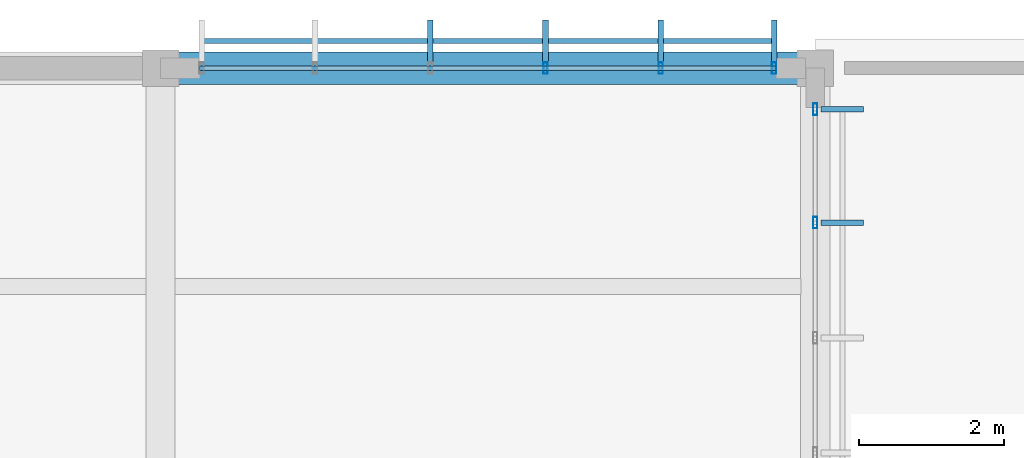
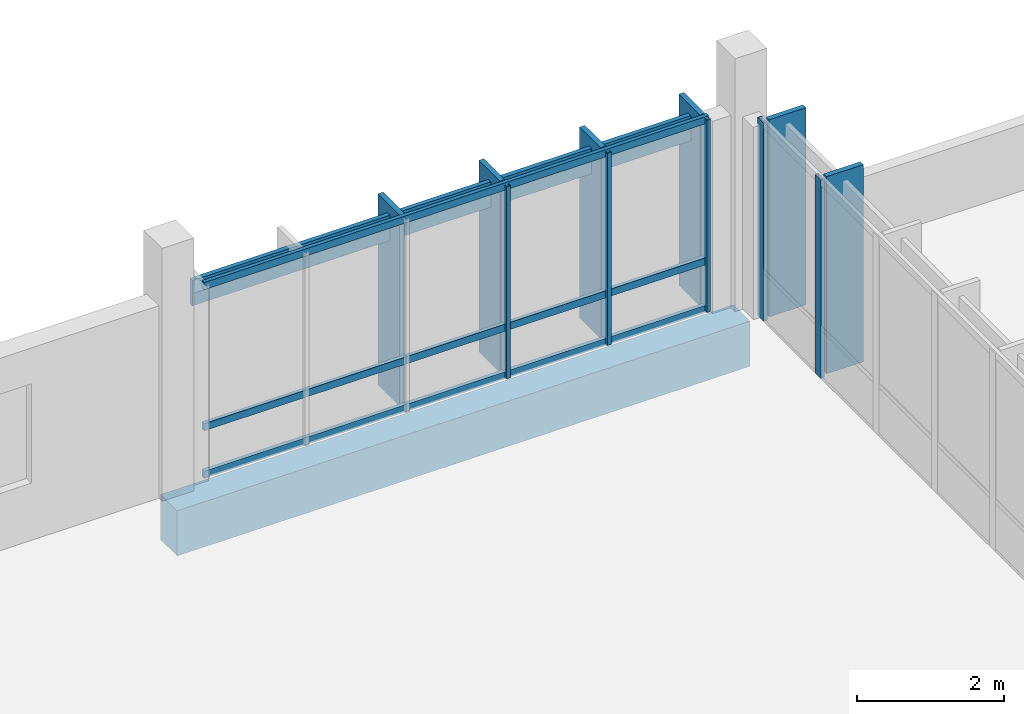
# One storey, part 77 of 107: 15 members, 1 beam, 2 elements without a shape of their own.
"""IFC4 building model written with IfcOpenShell, lengths in metres."""

from ifc_helpers import new_model, si_unit, direction, frame, origin, origin_2d, place, context, subcontext, project, spatial, rectangle, hollow_rectangle, extrude, material, material_profile, profile_set, type_object, element, aggregate, save


model = new_model("IFC4")

# Units and contexts
model_context = context("Model", 3, precision=1e-05, world=origin(), true_north=direction((0.0, 1.0)))
body_context = subcontext(model_context, "Body", "Model", "MODEL_VIEW")
ifc_project = project(units=[si_unit("LENGTHUNIT", "METRE"), si_unit("AREAUNIT", "SQUARE_METRE"), si_unit("VOLUMEUNIT", "CUBIC_METRE"), si_unit("PLANEANGLEUNIT", "RADIAN"), si_unit("MASSUNIT", "GRAM", prefix="KILO")], contexts=[model_context])

# Site, building, storey
site_placement = place(None, origin())
site = spatial("IfcSite", under=ifc_project, at=site_placement, CompositionType="ELEMENT")
building_placement = place(site_placement, origin())
building = spatial("IfcBuilding", under=site, at=building_placement, Name="Chiffa Square Polytechnic", CompositionType="ELEMENT")
storey_placement = place(building_placement, frame((0.0, 0.0, 13.800048828125)))
storey = spatial("IfcBuildingStorey", under=building, at=storey_placement, Name="L03", CompositionType="ELEMENT", Elevation=13.800048828125)

# Beam
ifc_material_1 = material(Name="Concrete C35/45", Category="concrete")
ifc_material_profile_1 = material_profile(ifc_material_1, rectangle(XDim=0.449951171875, YDim=0.75, at=origin_2d()), Name="RC 450x750")
ifc_profile_set_1 = profile_set([ifc_material_profile_1], Name="Concrete C35/45")
beam_type = type_object("IfcBeamType", Name="BM-RC-450X750", PredefinedType="BEAM", material=ifc_profile_set_1)
beam_placement = place(storey_placement, frame((130.199951171875, 130.800048828125, -0.635009765625), z_axis=(1.0, 0.0, 0.0), x_axis=(0.0, 1.0, 0.0)))
element("IfcBeam", 1, at=beam_placement, inside=storey, type_object=beam_type, Name="Primary floor girder BM-V5-L03-X-1302-1308", PredefinedType="BEAM", context=body_context, shape_type="SweptSolid", body=[
    extrude(rectangle(XDim=0.449951171875, YDim=0.75, at=origin_2d()), origin(), (0.0, 0.0, 1.0), 9.0),
])

# Curtain wall, members
ifc_material_2 = material(Name="Aluminium EN AW-6060 T66 and glulam shading", Category="wood")
curtain_wall_type_1 = type_object("IfcCurtainWallType", Name="CW-VERT-480X380", PredefinedType="USERDEFINED", material=ifc_material_2)
curtain_wall_1_placement = place(storey_placement, origin())
curtain_wall_1 = element("IfcCurtainWall", 2, at=curtain_wall_1_placement, inside=storey, type_object=curtain_wall_type_1, Name="Curtain wall CW-V5-L03-230", ObjectType="CURTAIN WALL", PredefinedType="USERDEFINED")
ifc_material_3 = material(Name="Aluminium EN AW-6060 T66", Category="aluminium")
ifc_material_profile_2 = material_profile(ifc_material_3, hollow_rectangle(XDim=0.06005859375, YDim=0.159912109375, WallThickness=0.00390625, at=origin_2d()), Name="ALU 60x160x4")
ifc_profile_set_2 = profile_set([ifc_material_profile_2], Name="Aluminium EN AW-6060 T66")
member_type_1 = type_object("IfcMemberType", Name="CWM-ALU-65X150", PredefinedType="MULLION", material=ifc_profile_set_2)
member_1_placement = place(storey_placement, frame((139.199951171875, 128.676025390625, 0.0), z_axis=(0.0, 0.0, 1.0), x_axis=(1.0, 0.0, 0.0)))
member_1 = element("IfcMember", 3, at=member_1_placement, type_object=member_type_1, Name="Curtain wall mullion CW-V5-L03-230-M04", PredefinedType="MULLION", context=body_context, shape_type="SweptSolid", body=[
    extrude(hollow_rectangle(XDim=0.06005859375, YDim=0.159912109375, WallThickness=0.00390625, at=origin_2d()), origin(), (0.0, 0.0, 1.0), 3.294921875),
])
member_2_placement = place(storey_placement, frame((139.199951171875, 130.235107421875, 0.0), z_axis=(0.0, 0.0, 1.0), x_axis=(1.0, 0.0, 0.0)))
member_2 = element("IfcMember", 4, at=member_2_placement, type_object=member_type_1, Name="Curtain wall mullion CW-V5-L03-230-M05", PredefinedType="MULLION", context=body_context, shape_type="SweptSolid", body=[
    extrude(hollow_rectangle(XDim=0.06005859375, YDim=0.159912109375, WallThickness=0.00390625, at=origin_2d()), origin(), (0.0, 0.0, 1.0), 3.294921875),
])

curtain_wall_type_2 = type_object("IfcCurtainWallType", Name="CW-VERT-540X440", PredefinedType="USERDEFINED", material=ifc_material_2)
curtain_wall_2_placement = place(storey_placement, origin())
curtain_wall_2 = element("IfcCurtainWall", 5, at=curtain_wall_2_placement, inside=storey, type_object=curtain_wall_type_2, Name="Curtain wall CW-V5-L03-231", ObjectType="CURTAIN WALL", PredefinedType="USERDEFINED")
member_3_placement = place(storey_placement, frame((138.635009765625, 130.800048828125, 0.0), z_axis=(0.0, 0.0, 1.0), x_axis=(1.0, 0.0, 0.0)))
member_3 = element("IfcMember", 6, at=member_3_placement, type_object=member_type_1, Name="Curtain wall mullion CW-V5-L03-231-M00", PredefinedType="MULLION", context=body_context, shape_type="SweptSolid", body=[
    extrude(hollow_rectangle(XDim=0.06005859375, YDim=0.159912109375, WallThickness=0.00390625, at=origin_2d()), origin(), (0.0, 0.0, 1.0), 3.195068359375),
])
member_4_placement = place(storey_placement, frame((137.075927734375, 130.800048828125, 0.0), z_axis=(0.0, 0.0, 1.0), x_axis=(1.0, 0.0, 0.0)))
member_4 = element("IfcMember", 7, at=member_4_placement, type_object=member_type_1, Name="Curtain wall mullion CW-V5-L03-231-M01", PredefinedType="MULLION", context=body_context, shape_type="SweptSolid", body=[
    extrude(hollow_rectangle(XDim=0.06005859375, YDim=0.159912109375, WallThickness=0.00390625, at=origin_2d()), origin(), (0.0, 0.0, 1.0), 3.195068359375),
])
member_5_placement = place(storey_placement, frame((135.491943359375, 130.800048828125, 0.0), z_axis=(0.0, 0.0, 1.0), x_axis=(1.0, 0.0, 0.0)))
member_5 = element("IfcMember", 8, at=member_5_placement, type_object=member_type_1, Name="Curtain wall mullion CW-V5-L03-231-M02", PredefinedType="MULLION", context=body_context, shape_type="SweptSolid", body=[
    extrude(hollow_rectangle(XDim=0.06005859375, YDim=0.159912109375, WallThickness=0.00390625, at=origin_2d()), origin(), (0.0, 0.0, 1.0), 3.195068359375),
])

# Member
ifc_material_4 = material(Name="Glulam GL28h", Category="wood")
ifc_material_profile_3 = material_profile(ifc_material_4, rectangle(XDim=0.080078125, YDim=0.580078125, at=origin_2d()), Name="GL28h 80x580")
ifc_profile_set_3 = profile_set([ifc_material_profile_3], Name="Glulam GL28h")
member_type_2 = type_object("IfcMemberType", Name="CWM-GL-80X580", PredefinedType="MULLION", material=ifc_profile_set_3)
member_6_placement = place(storey_placement, frame((139.572021484375, 128.676025390625, 0.010009765625), z_axis=(0.0, 0.0, 1.0), x_axis=(0.0, 1.0, 0.0)))
member_6 = element("IfcMember", 9, at=member_6_placement, type_object=member_type_2, Name="Exterior glulam solar fin CW-V5-L03-230-FN04", PredefinedType="MULLION", context=body_context, shape_type="SweptSolid", body=[
    extrude(rectangle(XDim=0.080078125, YDim=0.580078125, at=origin_2d()), origin(), (0.0, 0.0, 1.0), 3.27490234375),
])

member_7_placement = place(storey_placement, frame((139.572021484375, 130.235107421875, 0.010009765625), z_axis=(0.0, 0.0, 1.0), x_axis=(0.0, 1.0, 0.0)))
member_7 = element("IfcMember", 10, at=member_7_placement, type_object=member_type_2, Name="Exterior glulam solar fin CW-V5-L03-230-FN05", PredefinedType="MULLION", context=body_context, shape_type="SweptSolid", body=[
    extrude(rectangle(XDim=0.080078125, YDim=0.580078125, at=origin_2d()), origin(), (0.0, 0.0, 1.0), 3.27490234375),
])

aggregate(curtain_wall_1, [member_1, member_6, member_2, member_7])

member_8_placement = place(storey_placement, frame((138.635009765625, 131.172119140625, 0.010009765625), z_axis=(0.0, 0.0, 1.0), x_axis=(-1.0, 0.0, 0.0)))
member_8 = element("IfcMember", 11, at=member_8_placement, type_object=member_type_2, Name="Exterior glulam solar fin CW-V5-L03-231-FN00", PredefinedType="MULLION", context=body_context, shape_type="SweptSolid", body=[
    extrude(rectangle(XDim=0.080078125, YDim=0.580078125, at=origin_2d()), origin(), (0.0, 0.0, 1.0), 3.175048828125),
])

member_9_placement = place(storey_placement, frame((137.075927734375, 131.172119140625, 0.010009765625), z_axis=(0.0, 0.0, 1.0), x_axis=(-1.0, 0.0, 0.0)))
member_9 = element("IfcMember", 12, at=member_9_placement, type_object=member_type_2, Name="Exterior glulam solar fin CW-V5-L03-231-FN01", PredefinedType="MULLION", context=body_context, shape_type="SweptSolid", body=[
    extrude(rectangle(XDim=0.080078125, YDim=0.580078125, at=origin_2d()), origin(), (0.0, 0.0, 1.0), 3.175048828125),
])

member_10_placement = place(storey_placement, frame((135.491943359375, 131.172119140625, 0.010009765625), z_axis=(0.0, 0.0, 1.0), x_axis=(-1.0, 0.0, 0.0)))
member_10 = element("IfcMember", 13, at=member_10_placement, type_object=member_type_2, Name="Exterior glulam solar fin CW-V5-L03-231-FN02", PredefinedType="MULLION", context=body_context, shape_type="SweptSolid", body=[
    extrude(rectangle(XDim=0.080078125, YDim=0.580078125, at=origin_2d()), origin(), (0.0, 0.0, 1.0), 3.175048828125),
])

member_11_placement = place(storey_placement, frame((133.907958984375, 131.172119140625, 0.010009765625), z_axis=(0.0, 0.0, 1.0), x_axis=(-1.0, 0.0, 0.0)))
member_11 = element("IfcMember", 14, at=member_11_placement, type_object=member_type_2, Name="Exterior glulam solar fin CW-V5-L03-231-FN03", PredefinedType="MULLION", context=body_context, shape_type="SweptSolid", body=[
    extrude(rectangle(XDim=0.080078125, YDim=0.580078125, at=origin_2d()), origin(), (0.0, 0.0, 1.0), 3.175048828125),
])

ifc_material_profile_4 = material_profile(ifc_material_3, hollow_rectangle(XDim=0.06005859375, YDim=0.1201171875, WallThickness=0.00390625, at=origin_2d()), Name="ALU 60x120x4")
ifc_profile_set_4 = profile_set([ifc_material_profile_4], Name="Aluminium EN AW-6060 T66")
member_type_3 = type_object("IfcMemberType", Name="CWT-ALU-65X120", PredefinedType="USERDEFINED", material=ifc_profile_set_4)
member_12_placement = place(storey_placement, frame((138.662109375, 130.800048828125, 0.030029296875), z_axis=(-1.0, 0.0, 0.0), x_axis=(0.0, -1.0, 0.0)))
member_12 = element("IfcMember", 15, at=member_12_placement, type_object=member_type_3, Name="Curtain wall transom CW-V5-L03-231-T01", ObjectType="TRANSOM", PredefinedType="USERDEFINED", context=body_context, shape_type="SweptSolid", body=[
    extrude(hollow_rectangle(XDim=0.06005859375, YDim=0.1201171875, WallThickness=0.00390625, at=origin_2d()), origin(), (0.0, 0.0, 1.0), 7.924072265625),
])

member_13_placement = place(storey_placement, frame((138.662109375, 130.800048828125, 0.820068359375), z_axis=(-1.0, 0.0, 0.0), x_axis=(0.0, -1.0, 0.0)))
member_13 = element("IfcMember", 16, at=member_13_placement, type_object=member_type_3, Name="Curtain wall transom CW-V5-L03-231-T02", ObjectType="TRANSOM", PredefinedType="USERDEFINED", context=body_context, shape_type="SweptSolid", body=[
    extrude(hollow_rectangle(XDim=0.06005859375, YDim=0.1201171875, WallThickness=0.00390625, at=origin_2d()), origin(), (0.0, 0.0, 1.0), 7.924072265625),
])

member_14_placement = place(storey_placement, frame((138.662109375, 130.800048828125, 3.1650390625), z_axis=(-1.0, 0.0, 0.0), x_axis=(0.0, -1.0, 0.0)))
member_14 = element("IfcMember", 17, at=member_14_placement, type_object=member_type_3, Name="Curtain wall transom CW-V5-L03-231-T03", ObjectType="TRANSOM", PredefinedType="USERDEFINED", context=body_context, shape_type="SweptSolid", body=[
    extrude(hollow_rectangle(XDim=0.06005859375, YDim=0.1201171875, WallThickness=0.00390625, at=origin_2d()), origin(), (0.0, 0.0, 1.0), 7.924072265625),
])

ifc_material_profile_5 = material_profile(ifc_material_4, rectangle(XDim=0.070068359375, YDim=0.419921875, at=origin_2d()), Name="GL28h 70x420")
ifc_profile_set_5 = profile_set([ifc_material_profile_5], Name="Glulam GL28h")
member_type_4 = type_object("IfcMemberType", Name="CWT-GL-70X420", PredefinedType="USERDEFINED", material=ifc_profile_set_5)
member_15_placement = place(storey_placement, frame((138.635009765625, 131.172119140625, 2.81494140625), z_axis=(-1.0, 0.0, 0.0), x_axis=(0.0, -1.0, 0.0)))
member_15 = element("IfcMember", 18, at=member_15_placement, type_object=member_type_4, Name="Exterior glulam brise-soleil CW-V5-L03-231-BS01", ObjectType="TRANSOM", PredefinedType="USERDEFINED", context=body_context, shape_type="SweptSolid", body=[
    extrude(rectangle(XDim=0.070068359375, YDim=0.419921875, at=origin_2d()), origin(), (0.0, 0.0, 1.0), 7.8701171875),
])

aggregate(curtain_wall_2, [member_3, member_8, member_4, member_9, member_5, member_10, member_11, member_12, member_13, member_14, member_15])

save(model, "model.ifc")
